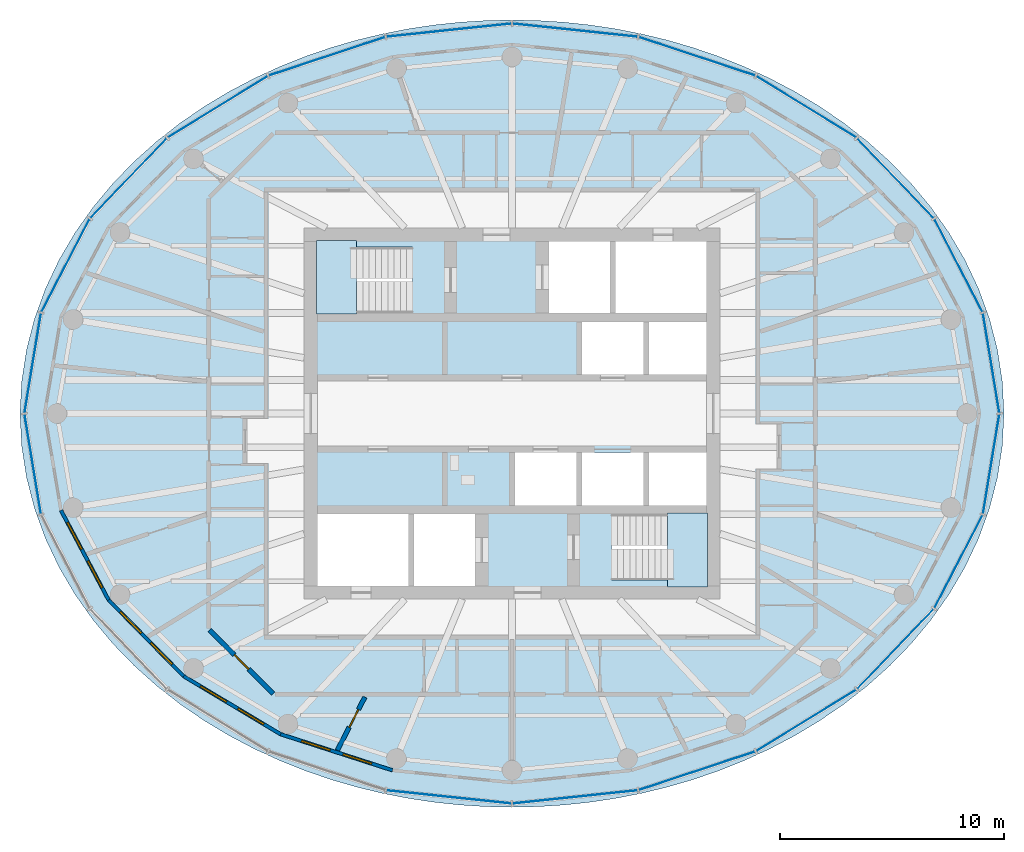
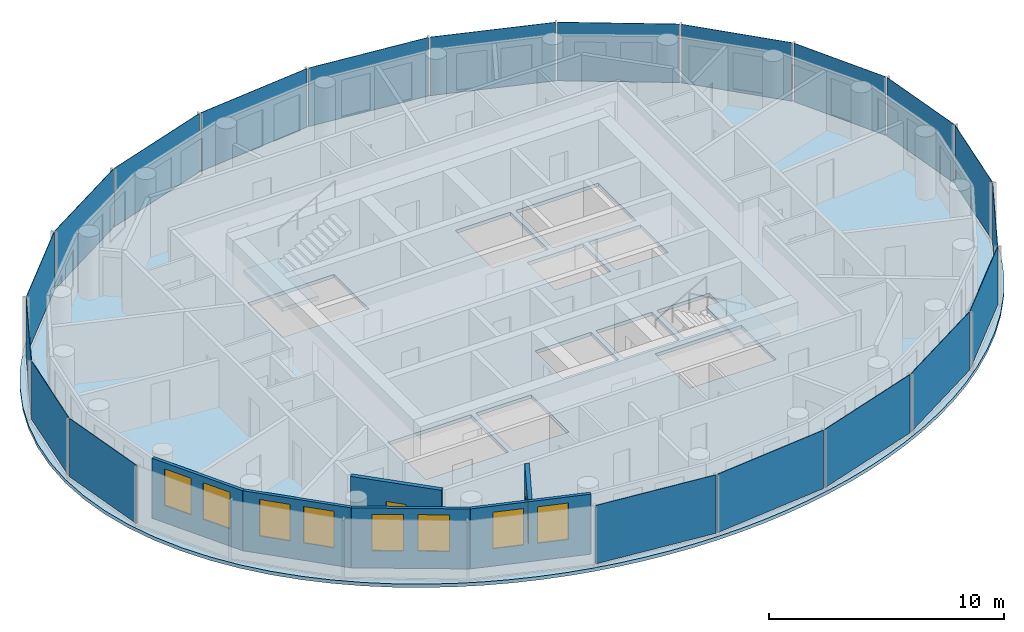
# One storey, part 4 of 12: 20 plates, 8 windows, 6 walls, 3 slabs, 2 doors, 10 openings, 6 elements without a shape of their own.
"""IFC4 building model written with IfcOpenShell, lengths in metres."""

from ifc_helpers import new_model, si_unit, direction, frame, frame_2d, origin, origin_2d, place, context, subcontext, project, spatial, polyline, rectangle, outline, extrude, material, layer, layer_set, type_object, element, fill, aggregate, save


model = new_model("IFC4")

# Units and contexts
model_context = context("Model", 3, precision=1e-05, world=origin(), true_north=direction((0.0, 1.0)))
body_context = subcontext(model_context, "Body", "Model", "MODEL_VIEW")
ifc_project = project(units=[si_unit("LENGTHUNIT", "METRE"), si_unit("AREAUNIT", "SQUARE_METRE"), si_unit("VOLUMEUNIT", "CUBIC_METRE"), si_unit("PLANEANGLEUNIT", "RADIAN"), si_unit("MASSUNIT", "GRAM", prefix="KILO")], contexts=[model_context])

# Site, building, storey
site_placement = place(None, origin())
site = spatial("IfcSite", under=ifc_project, at=site_placement, CompositionType="ELEMENT")
building_placement = place(site_placement, origin())
building = spatial("IfcBuilding", under=site, at=building_placement, Name="Hankou Lantern Tower", CompositionType="ELEMENT")
storey_placement = place(building_placement, frame((0.0, 0.0, 219.300048828125)))
storey = spatial("IfcBuildingStorey", under=building, at=storey_placement, Name="L59", CompositionType="ELEMENT", Elevation=219.300048828125)

# Curtain wall, plates
ifc_material_1 = material(Name="Glass, dark grey tinted laminated", Category="glass")
curtain_wall_type = type_object("IfcCurtainWallType", Name="CWD OUTER SKIN SUITE", PredefinedType="USERDEFINED", material=ifc_material_1)
curtain_wall_1_placement = place(storey_placement, origin())
curtain_wall_1 = element("IfcCurtainWall", 1, at=curtain_wall_1_placement, inside=storey, type_object=curtain_wall_type, Name="CWD L59 OS1", ObjectType="OUTER SKIN SUITE", PredefinedType="USERDEFINED")
ifc_material_2 = material(Name="Glass, dark grey tinted laminated", Category="glass")
ifc_layer_1 = layer(ifc_material_2, 0.02392578125)
ifc_layer_set_1 = layer_set([ifc_layer_1], Name="Glass, dark grey tinted laminated")
plate_type = type_object("IfcPlateType", Name="PN1 OUTER SKIN GLASS PANEL", PredefinedType="CURTAIN_PANEL", material=ifc_layer_set_1)
plate_1_placement = place(storey_placement, frame((21.4287109375, 2.2568359375, 0.079833984375), z_axis=(0.0, 0.0, 1.0), x_axis=(-0.162381515188, 0.986728049427, 0.0)))
plate_1 = element("IfcPlate", 2, at=plate_1_placement, type_object=plate_type, Name="CWD glass panel 1", PredefinedType="CURTAIN_PANEL", context=body_context, shape_type="SweptSolid", body=[
    extrude(rectangle(XDim=4.49462890625, YDim=0.02392578125, at=origin_2d()), origin(), (0.0, 0.0, 1.0), 3.0400390625),
])
plate_2_placement = place(storey_placement, frame((19.96826171875, 6.616943359375, 0.079833984375), z_axis=(0.0, 0.0, 1.0), x_axis=(-0.459791091957, 0.888027112062, 0.0)))
plate_2 = element("IfcPlate", 3, at=plate_2_placement, type_object=plate_type, Name="CWD glass panel 2", PredefinedType="CURTAIN_PANEL", context=body_context, shape_type="SweptSolid", body=[
    extrude(rectangle(XDim=4.656494140625, YDim=0.02392578125, at=origin_2d()), origin(), (0.0, 0.0, 1.0), 3.0400390625),
])
plate_3_placement = place(storey_placement, frame((17.147216796875, 10.52587890625, 0.079833984375), z_axis=(0.0, 0.0, 1.0), x_axis=(-0.692215809936, 0.721690565599, 0.0)))
plate_3 = element("IfcPlate", 4, at=plate_3_placement, type_object=plate_type, Name="CWD glass panel 3", PredefinedType="CURTAIN_PANEL", context=body_context, shape_type="SweptSolid", body=[
    extrude(rectangle(XDim=4.9248046875, YDim=0.02392578125, at=origin_2d()), origin(), (0.0, 0.0, 1.0), 3.0400390625),
])
plate_4_placement = place(storey_placement, frame((13.157470703125, 13.7177734375, 0.079833984375), z_axis=(0.0, 0.0, 1.0), x_axis=(-0.852237151549, 0.523155653242, 0.0)))
plate_4 = element("IfcPlate", 5, at=plate_4_placement, type_object=plate_type, Name="CWD glass panel 4", PredefinedType="CURTAIN_PANEL", context=body_context, shape_type="SweptSolid", body=[
    extrude(rectangle(XDim=5.2177734375, YDim=0.02392578125, at=origin_2d()), origin(), (0.0, 0.0, 1.0), 3.0400390625),
])
plate_5_placement = place(storey_placement, frame((8.271240234375, 15.974609375, 0.079833984375), z_axis=(0.0, 0.0, 1.0), x_axis=(-0.949240677293, 0.31455068999, 0.0)))
plate_5 = element("IfcPlate", 6, at=plate_5_placement, type_object=plate_type, Name="CWD glass panel 5", PredefinedType="CURTAIN_PANEL", context=body_context, shape_type="SweptSolid", body=[
    extrude(rectangle(XDim=5.458984375, YDim=0.02392578125, at=origin_2d()), origin(), (0.0, 0.0, 1.0), 3.0400390625),
])
plate_6_placement = place(storey_placement, frame((2.821044921875, 17.142822265625, 0.079833984375), z_axis=(0.0, 0.0, 1.0), x_axis=(-0.994499359107, 0.104742659579, 0.0)))
plate_6 = element("IfcPlate", 7, at=plate_6_placement, type_object=plate_type, Name="CWD glass panel 6", PredefinedType="CURTAIN_PANEL", context=body_context, shape_type="SweptSolid", body=[
    extrude(rectangle(XDim=5.593505859375, YDim=0.02392578125, at=origin_2d()), origin(), (0.0, 0.0, 1.0), 3.0400390625),
])
aggregate(curtain_wall_1, [plate_1, plate_2, plate_3, plate_4, plate_5, plate_6])

curtain_wall_2_placement = place(storey_placement, origin())
curtain_wall_2 = element("IfcCurtainWall", 8, at=curtain_wall_2_placement, inside=storey, type_object=curtain_wall_type, Name="CWD L59 OS2", ObjectType="OUTER SKIN SUITE", PredefinedType="USERDEFINED")
plate_7_placement = place(storey_placement, frame((-2.821044921875, 17.142822265625, 0.079833984375), z_axis=(0.0, 0.0, 1.0), x_axis=(-0.994499359107, -0.104742659579, 0.0)))
plate_7 = element("IfcPlate", 9, at=plate_7_placement, type_object=plate_type, Name="CWD glass panel 1", PredefinedType="CURTAIN_PANEL", context=body_context, shape_type="SweptSolid", body=[
    extrude(rectangle(XDim=5.593505859375, YDim=0.02392578125, at=origin_2d()), origin(), (0.0, 0.0, 1.0), 3.0400390625),
])
plate_8_placement = place(storey_placement, frame((-8.271240234375, 15.974609375, 0.079833984375), z_axis=(0.0, 0.0, 1.0), x_axis=(-0.949240677293, -0.31455068999, 0.0)))
plate_8 = element("IfcPlate", 10, at=plate_8_placement, type_object=plate_type, Name="CWD glass panel 2", PredefinedType="CURTAIN_PANEL", context=body_context, shape_type="SweptSolid", body=[
    extrude(rectangle(XDim=5.458984375, YDim=0.02392578125, at=origin_2d()), origin(), (0.0, 0.0, 1.0), 3.0400390625),
])
plate_9_placement = place(storey_placement, frame((-13.157470703125, 13.7177734375, 0.079833984375), z_axis=(0.0, 0.0, 1.0), x_axis=(-0.852237151549, -0.523155653242, 0.0)))
plate_9 = element("IfcPlate", 11, at=plate_9_placement, type_object=plate_type, Name="CWD glass panel 3", PredefinedType="CURTAIN_PANEL", context=body_context, shape_type="SweptSolid", body=[
    extrude(rectangle(XDim=5.2177734375, YDim=0.02392578125, at=origin_2d()), origin(), (0.0, 0.0, 1.0), 3.0400390625),
])
plate_10_placement = place(storey_placement, frame((-17.147216796875, 10.52587890625, 0.079833984375), z_axis=(0.0, 0.0, 1.0), x_axis=(-0.692215809936, -0.721690565599, 0.0)))
plate_10 = element("IfcPlate", 12, at=plate_10_placement, type_object=plate_type, Name="CWD glass panel 4", PredefinedType="CURTAIN_PANEL", context=body_context, shape_type="SweptSolid", body=[
    extrude(rectangle(XDim=4.9248046875, YDim=0.02392578125, at=origin_2d()), origin(), (0.0, 0.0, 1.0), 3.0400390625),
])
plate_11_placement = place(storey_placement, frame((-19.96826171875, 6.616943359375, 0.079833984375), z_axis=(0.0, 0.0, 1.0), x_axis=(-0.459791091957, -0.888027112062, 0.0)))
plate_11 = element("IfcPlate", 13, at=plate_11_placement, type_object=plate_type, Name="CWD glass panel 5", PredefinedType="CURTAIN_PANEL", context=body_context, shape_type="SweptSolid", body=[
    extrude(rectangle(XDim=4.656494140625, YDim=0.02392578125, at=origin_2d()), origin(), (0.0, 0.0, 1.0), 3.0400390625),
])
plate_12_placement = place(storey_placement, frame((-21.4287109375, 2.2568359375, 0.079833984375), z_axis=(0.0, 0.0, 1.0), x_axis=(-0.162381515188, -0.986728049427, 0.0)))
plate_12 = element("IfcPlate", 14, at=plate_12_placement, type_object=plate_type, Name="CWD glass panel 6", PredefinedType="CURTAIN_PANEL", context=body_context, shape_type="SweptSolid", body=[
    extrude(rectangle(XDim=4.49462890625, YDim=0.02392578125, at=origin_2d()), origin(), (0.0, 0.0, 1.0), 3.0400390625),
])
aggregate(curtain_wall_2, [plate_7, plate_8, plate_9, plate_10, plate_11, plate_12])

curtain_wall_3_placement = place(storey_placement, origin())
curtain_wall_3 = element("IfcCurtainWall", 15, at=curtain_wall_3_placement, inside=storey, type_object=curtain_wall_type, Name="CWD L59 OS3", ObjectType="OUTER SKIN SUITE", PredefinedType="USERDEFINED")
plate_13_placement = place(storey_placement, frame((-21.4287109375, -2.2568359375, 0.079833984375), z_axis=(0.0, 0.0, 1.0), x_axis=(0.162381515188, -0.986728049427, 0.0)))
plate_13 = element("IfcPlate", 16, at=plate_13_placement, type_object=plate_type, Name="CWD glass panel 1", PredefinedType="CURTAIN_PANEL", context=body_context, shape_type="SweptSolid", body=[
    extrude(rectangle(XDim=4.49462890625, YDim=0.02392578125, at=origin_2d()), origin(), (0.0, 0.0, 1.0), 3.0400390625),
])
plate_14_placement = place(storey_placement, frame((-2.821044921875, -17.142822265625, 0.079833984375), z_axis=(0.0, 0.0, 1.0), x_axis=(0.994499359107, -0.104742659579, 0.0)))
plate_14 = element("IfcPlate", 17, at=plate_14_placement, type_object=plate_type, Name="CWD glass panel 6", PredefinedType="CURTAIN_PANEL", context=body_context, shape_type="SweptSolid", body=[
    extrude(rectangle(XDim=5.593505859375, YDim=0.02392578125, at=origin_2d()), origin(), (0.0, 0.0, 1.0), 3.0400390625),
])
aggregate(curtain_wall_3, [plate_13, plate_14])

curtain_wall_4_placement = place(storey_placement, origin())
curtain_wall_4 = element("IfcCurtainWall", 18, at=curtain_wall_4_placement, inside=storey, type_object=curtain_wall_type, Name="CWD L59 OS4", ObjectType="OUTER SKIN SUITE", PredefinedType="USERDEFINED")
plate_15_placement = place(storey_placement, frame((2.821044921875, -17.142822265625, 0.079833984375), z_axis=(0.0, 0.0, 1.0), x_axis=(0.994499359107, 0.104742659579, 0.0)))
plate_15 = element("IfcPlate", 19, at=plate_15_placement, type_object=plate_type, Name="CWD glass panel 1", PredefinedType="CURTAIN_PANEL", context=body_context, shape_type="SweptSolid", body=[
    extrude(rectangle(XDim=5.593505859375, YDim=0.02392578125, at=origin_2d()), origin(), (0.0, 0.0, 1.0), 3.0400390625),
])
plate_16_placement = place(storey_placement, frame((8.271240234375, -15.974609375, 0.079833984375), z_axis=(0.0, 0.0, 1.0), x_axis=(0.949240677293, 0.31455068999, 0.0)))
plate_16 = element("IfcPlate", 20, at=plate_16_placement, type_object=plate_type, Name="CWD glass panel 2", PredefinedType="CURTAIN_PANEL", context=body_context, shape_type="SweptSolid", body=[
    extrude(rectangle(XDim=5.458984375, YDim=0.02392578125, at=origin_2d()), origin(), (0.0, 0.0, 1.0), 3.0400390625),
])
plate_17_placement = place(storey_placement, frame((13.157470703125, -13.7177734375, 0.079833984375), z_axis=(0.0, 0.0, 1.0), x_axis=(0.852237151549, 0.523155653242, 0.0)))
plate_17 = element("IfcPlate", 21, at=plate_17_placement, type_object=plate_type, Name="CWD glass panel 3", PredefinedType="CURTAIN_PANEL", context=body_context, shape_type="SweptSolid", body=[
    extrude(rectangle(XDim=5.2177734375, YDim=0.02392578125, at=origin_2d()), origin(), (0.0, 0.0, 1.0), 3.0400390625),
])
plate_18_placement = place(storey_placement, frame((17.147216796875, -10.52587890625, 0.079833984375), z_axis=(0.0, 0.0, 1.0), x_axis=(0.692215809936, 0.721690565599, 0.0)))
plate_18 = element("IfcPlate", 22, at=plate_18_placement, type_object=plate_type, Name="CWD glass panel 4", PredefinedType="CURTAIN_PANEL", context=body_context, shape_type="SweptSolid", body=[
    extrude(rectangle(XDim=4.9248046875, YDim=0.02392578125, at=origin_2d()), origin(), (0.0, 0.0, 1.0), 3.0400390625),
])
plate_19_placement = place(storey_placement, frame((19.96826171875, -6.616943359375, 0.079833984375), z_axis=(0.0, 0.0, 1.0), x_axis=(0.459791091957, 0.888027112062, 0.0)))
plate_19 = element("IfcPlate", 23, at=plate_19_placement, type_object=plate_type, Name="CWD glass panel 5", PredefinedType="CURTAIN_PANEL", context=body_context, shape_type="SweptSolid", body=[
    extrude(rectangle(XDim=4.656494140625, YDim=0.02392578125, at=origin_2d()), origin(), (0.0, 0.0, 1.0), 3.0400390625),
])
plate_20_placement = place(storey_placement, frame((21.4287109375, -2.2568359375, 0.079833984375), z_axis=(0.0, 0.0, 1.0), x_axis=(0.162381515188, 0.986728049427, 0.0)))
plate_20 = element("IfcPlate", 24, at=plate_20_placement, type_object=plate_type, Name="CWD glass panel 6", PredefinedType="CURTAIN_PANEL", context=body_context, shape_type="SweptSolid", body=[
    extrude(rectangle(XDim=4.49462890625, YDim=0.02392578125, at=origin_2d()), origin(), (0.0, 0.0, 1.0), 3.0400390625),
])
aggregate(curtain_wall_4, [plate_15, plate_16, plate_17, plate_18, plate_19, plate_20])

# Slab
ifc_material_3 = material(Name="Concrete C50", Category="concrete")
ifc_layer_2 = layer(ifc_material_3, 0.179931640625)
ifc_layer_set_2 = layer_set([ifc_layer_2], Name="Concrete C50")
slab_type_1 = type_object("IfcSlabType", Name="S1 CONCRETE FLOOR SLAB 180", PredefinedType="FLOOR", material=ifc_layer_set_2)
slab_1_placement = place(storey_placement, frame((0.0, 0.0, -0.179931640625)))
element("IfcSlab", 25, at=slab_1_placement, inside=storey, type_object=slab_type_1, Name="Floor slab L59", PredefinedType="FLOOR", context=body_context, shape_type="SweptSolid", body=[
    extrude(outline(polyline([(22.0, 0.0), (21.926513671875, 1.437255859375), (21.7080078125, 2.85791015625), (21.349853515625, 4.246826171875), (20.861083984375, 5.589599609375), (20.252197265625, 6.874755859375), (19.53662109375, 8.09228515625), (18.727783203125, 9.235595703125), (17.83935546875, 10.299560546875), (16.88525390625, 11.2822265625), (15.877197265625, 12.18310546875), (14.82666015625, 13.002685546875), (13.743408203125, 13.743408203125), (12.63525390625, 14.40771484375), (11.509521484375, 14.999267578125), (10.37109375, 15.521728515625), (9.224853515625, 15.97802734375), (8.07373046875, 16.3720703125), (6.920166015625, 16.70654296875), (5.765625, 16.98486328125), (4.611083984375, 17.208984375), (3.457275390625, 17.38134765625), (2.304443359375, 17.503173828125), (1.152099609375, 17.575927734375), (0.0, 17.60009765625), (-1.152099609375, 17.575927734375), (-2.304443359375, 17.503173828125), (-3.457275390625, 17.38134765625), (-4.611083984375, 17.208984375), (-5.765625, 16.98486328125), (-6.920166015625, 16.70654296875), (-8.07373046875, 16.3720703125), (-9.224853515625, 15.97802734375), (-10.37109375, 15.521728515625), (-11.509521484375, 14.999267578125), (-12.63525390625, 14.40771484375), (-13.743408203125, 13.743408203125), (-14.82666015625, 13.002685546875), (-15.877197265625, 12.18310546875), (-16.88525390625, 11.2822265625), (-17.83935546875, 10.299560546875), (-18.727783203125, 9.235595703125), (-19.53662109375, 8.09228515625), (-20.252197265625, 6.874755859375), (-20.861083984375, 5.589599609375), (-21.349853515625, 4.246826171875), (-21.7080078125, 2.85791015625), (-21.926513671875, 1.437255859375), (-22.0, 0.0), (-21.926513671875, -1.437255859375), (-21.7080078125, -2.85791015625), (-21.349853515625, -4.246826171875), (-20.861083984375, -5.589599609375), (-20.252197265625, -6.874755859375), (-19.53662109375, -8.09228515625), (-18.727783203125, -9.235595703125), (-17.83935546875, -10.299560546875), (-16.88525390625, -11.2822265625), (-15.877197265625, -12.18310546875), (-14.82666015625, -13.002685546875), (-13.743408203125, -13.743408203125), (-12.63525390625, -14.40771484375), (-11.509521484375, -14.999267578125), (-10.37109375, -15.521728515625), (-9.224853515625, -15.97802734375), (-8.07373046875, -16.3720703125), (-6.920166015625, -16.70654296875), (-5.765625, -16.98486328125), (-4.611083984375, -17.208984375), (-3.457275390625, -17.38134765625), (-2.304443359375, -17.503173828125), (-1.152099609375, -17.575927734375), (0.0, -17.60009765625), (1.152099609375, -17.575927734375), (2.304443359375, -17.503173828125), (3.457275390625, -17.38134765625), (4.611083984375, -17.208984375), (5.765625, -16.98486328125), (6.920166015625, -16.70654296875), (8.07373046875, -16.3720703125), (9.224853515625, -15.97802734375), (10.37109375, -15.521728515625), (11.509521484375, -14.999267578125), (12.63525390625, -14.40771484375), (13.743408203125, -13.743408203125), (14.82666015625, -13.002685546875), (15.877197265625, -12.18310546875), (16.88525390625, -11.2822265625), (17.83935546875, -10.299560546875), (18.727783203125, -9.235595703125), (19.53662109375, -8.09228515625), (20.252197265625, -6.874755859375), (20.861083984375, -5.589599609375), (21.349853515625, -4.246826171875), (21.7080078125, -2.85791015625), (21.926513671875, -1.437255859375), (22.0, 0.0)]), holes=[polyline([(3.125, 4.10009765625), (5.875, 4.10009765625), (5.875, 1.75), (3.125, 1.75), (3.125, 4.10009765625)]), polyline([(6.125, 4.10009765625), (8.699951171875, 4.10009765625), (8.699951171875, 1.75), (6.125, 1.75), (6.125, 4.10009765625)]), polyline([(0.125, -1.75), (2.875, -1.75), (2.875, -4.10009765625), (0.125, -4.10009765625), (0.125, -1.75)]), polyline([(3.125, -1.75), (5.875, -1.75), (5.875, -4.10009765625), (3.125, -4.10009765625), (3.125, -1.75)]), polyline([(6.125, -1.75), (8.699951171875, -1.75), (8.699951171875, -4.10009765625), (6.125, -4.10009765625), (6.125, -1.75)]), polyline([(1.64990234375, 7.699951171875), (4.375, 7.699951171875), (4.375, 4.5), (1.64990234375, 4.5), (1.64990234375, 7.699951171875)]), polyline([(-4.375, -4.5), (-1.64990234375, -4.5), (-1.64990234375, -7.699951171875), (-4.375, -7.699951171875), (-4.375, -4.5)]), polyline([(-8.699951171875, 7.449951171875), (-4.449951171875, 7.449951171875), (-4.449951171875, 4.5), (-8.699951171875, 4.5), (-8.699951171875, 7.449951171875)]), polyline([(4.449951171875, -4.5), (8.699951171875, -4.5), (8.699951171875, -7.449951171875), (4.449951171875, -7.449951171875), (4.449951171875, -4.5)]), polyline([(4.625, 7.699951171875), (8.699951171875, 7.699951171875), (8.699951171875, 4.5), (4.625, 4.5), (4.625, 7.699951171875)]), polyline([(-8.699951171875, -4.5), (-4.625, -4.5), (-4.625, -7.699951171875), (-8.699951171875, -7.699951171875), (-8.699951171875, -4.5)])]), origin(), (0.0, 0.0, 1.0), 0.179931640625),
])

# Stair, slab
ifc_material_4 = material(Name="Concrete C40", Category="concrete")
stair_type = type_object("IfcStairType", Name="ST33 CORE STAIR 3300 RISE", PredefinedType="HALF_TURN_STAIR", material=ifc_material_4)
stair_1_placement = place(storey_placement, origin())
stair_1 = element("IfcStair", 26, at=stair_1_placement, inside=storey, type_object=stair_type, Name="Stair STA L59", PredefinedType="HALF_TURN_STAIR")
ifc_material_5 = material(Name="Concrete C40", Category="concrete")
ifc_layer_3 = layer(ifc_material_5, 0.199951171875)
ifc_layer_set_3 = layer_set([ifc_layer_3], Name="Concrete C40")
slab_type_2 = type_object("IfcSlabType", Name="SL1 STAIR LANDING 200", PredefinedType="LANDING", material=ifc_layer_set_3)
slab_2_placement = place(storey_placement, frame((0.0, 0.0, 1.371337890625)))
slab_2 = element("IfcSlab", 27, at=slab_2_placement, type_object=slab_type_2, Name="STA landing 1", PredefinedType="LANDING", context=body_context, shape_type="SweptSolid", body=[
    extrude(outline(polyline([(-8.75, 4.449951171875), (-6.949951171875, 4.449951171875), (-6.949951171875, 7.75), (-8.75, 7.75), (-8.75, 4.449951171875)])), origin(), (0.0, 0.0, 1.0), 0.199951171875),
])
aggregate(stair_1, [slab_2])

stair_2_placement = place(storey_placement, origin())
stair_2 = element("IfcStair", 28, at=stair_2_placement, inside=storey, type_object=stair_type, Name="Stair STB L59", PredefinedType="HALF_TURN_STAIR")
slab_3_placement = place(storey_placement, frame((0.0, 0.0, 1.371337890625)))
slab_3 = element("IfcSlab", 29, at=slab_3_placement, type_object=slab_type_2, Name="STB landing 1", PredefinedType="LANDING", context=body_context, shape_type="SweptSolid", body=[
    extrude(outline(polyline([(8.75, -4.449951171875), (6.949951171875, -4.449951171875), (6.949951171875, -7.75), (8.75, -7.75), (8.75, -4.449951171875)])), origin(), (0.0, 0.0, 1.0), 0.199951171875),
])
aggregate(stair_2, [slab_3])

# Wall, openings, windows
ifc_material_6 = material(Name="Aluminium spandrel panel on steel studs", Category="steel")
ifc_layer_4 = layer(ifc_material_6, 0.14990234375)
ifc_layer_set_4 = layer_set([ifc_layer_4], Name="Aluminium spandrel panel on steel studs")
wall_type_1 = type_object("IfcWallType", Name="EW1 INNER SKIN WALL 150", PredefinedType="ELEMENTEDWALL", material=ifc_layer_set_4)
wall_1_placement = place(storey_placement, frame((-20.169677734375, -4.323486328125, 0.0), z_axis=(0.0, 0.0, 1.0), x_axis=(0.469256152955, -0.883062094597, 0.0)))
wall_1 = element("IfcWall", 30, at=wall_1_placement, inside=storey, type_object=wall_type_1, Name="Inner skin R14-R15 L59", PredefinedType="ELEMENTEDWALL", context=body_context, shape_type="SweptSolid", body=[
    extrude(rectangle(XDim=4.539306640625, YDim=0.14990234375, at=frame_2d((2.26953125, 0.0))), origin(), (0.0, 0.0, 1.0), 3.119873046875),
])
opening_1_placement = place(wall_1_placement, frame((0.61962890625, 0.0, 0.89990234375)))
opening_1 = element("IfcOpeningElement", 31, at=opening_1_placement, cuts=wall_1, Name="Opening W4", PredefinedType="OPENING", context=body_context, shape_type="SweptSolid", body=[
    extrude(rectangle(XDim=1.35009765625, YDim=1.89990234375, at=frame_2d((0.675048828125, 0.949951171875))), frame((0.0, 0.0849609375, 0.0), z_axis=(0.0, -1.0, 0.0), x_axis=(1.0, 0.0, 0.0)), (0.0, 0.0, 1.0), 0.169921875),
])
opening_2_placement = place(wall_1_placement, frame((2.569580078125, 0.0, 0.89990234375)))
opening_2 = element("IfcOpeningElement", 32, at=opening_2_placement, cuts=wall_1, Name="Opening W4", PredefinedType="OPENING", context=body_context, shape_type="SweptSolid", body=[
    extrude(rectangle(XDim=1.35009765625, YDim=1.89990234375, at=frame_2d((0.675048828125, 0.949951171875))), frame((0.0, 0.0849609375, 0.0), z_axis=(0.0, -1.0, 0.0), x_axis=(1.0, 0.0, 0.0)), (0.0, 0.0, 1.0), 0.169921875),
])
ifc_material_7 = material(Name="Aluminium framed double glazed window", Category="aluminium")
window_type = type_object("IfcWindowType", Name="W4 SUITE WINDOW 1350X1900", PartitioningType="DOUBLE_PANEL_VERTICAL", PredefinedType="WINDOW", material=ifc_material_7)
window_1_placement = place(opening_1_placement, origin())
window_1 = element("IfcWindow", 33, at=window_1_placement, inside=storey, type_object=window_type, Name="Window R14.1 L59", OverallHeight=1.89990234375, OverallWidth=1.35009765625, PartitioningType="SINGLE_PANEL", PredefinedType="WINDOW", context=body_context, shape_type="SweptSolid", body=[
    extrude(rectangle(XDim=1.35009765625, YDim=1.89990234375, at=frame_2d((0.675048828125, 0.949951171875))), frame((0.0, 0.030029296875, 0.0), z_axis=(0.0, -1.0, 0.0), x_axis=(1.0, 0.0, 0.0)), (0.0, 0.0, 1.0), 0.06005859375),
])
fill(opening_1, window_1)
window_2_placement = place(opening_2_placement, origin())
window_2 = element("IfcWindow", 34, at=window_2_placement, inside=storey, type_object=window_type, Name="Window R14.2 L59", OverallHeight=1.89990234375, OverallWidth=1.35009765625, PartitioningType="SINGLE_PANEL", PredefinedType="WINDOW", context=body_context, shape_type="SweptSolid", body=[
    extrude(rectangle(XDim=1.35009765625, YDim=1.89990234375, at=frame_2d((0.675048828125, 0.949951171875))), frame((0.0, 0.030029296875, 0.0), z_axis=(0.0, -1.0, 0.0), x_axis=(1.0, 0.0, 0.0)), (0.0, 0.0, 1.0), 0.06005859375),
])
fill(opening_2, window_2)

wall_2_placement = place(storey_placement, frame((-18.03955078125, -8.33203125, 0.0), z_axis=(0.0, 0.0, 1.0), x_axis=(0.701527379618, -0.712642501993, 0.0)))
wall_2 = element("IfcWall", 35, at=wall_2_placement, inside=storey, type_object=wall_type_1, Name="Inner skin R15-R16 L59", PredefinedType="ELEMENTEDWALL", context=body_context, shape_type="SweptSolid", body=[
    extrude(rectangle(XDim=4.788330078125, YDim=0.14990234375, at=frame_2d((2.39404296875, 0.0))), origin(), (0.0, 0.0, 1.0), 3.119873046875),
])
opening_3_placement = place(wall_2_placement, frame((0.744140625, 0.0, 0.89990234375)))
opening_3 = element("IfcOpeningElement", 36, at=opening_3_placement, cuts=wall_2, Name="Opening W4", PredefinedType="OPENING", context=body_context, shape_type="SweptSolid", body=[
    extrude(rectangle(XDim=1.35009765625, YDim=1.89990234375, at=frame_2d((0.675048828125, 0.949951171875))), frame((0.0, 0.0849609375, 0.0), z_axis=(0.0, -1.0, 0.0), x_axis=(1.0, 0.0, 0.0)), (0.0, 0.0, 1.0), 0.169921875),
])
opening_4_placement = place(wall_2_placement, frame((2.694091796875, 0.0, 0.89990234375)))
opening_4 = element("IfcOpeningElement", 37, at=opening_4_placement, cuts=wall_2, Name="Opening W4", PredefinedType="OPENING", context=body_context, shape_type="SweptSolid", body=[
    extrude(rectangle(XDim=1.35009765625, YDim=1.89990234375, at=frame_2d((0.675048828125, 0.949951171875))), frame((0.0, 0.0849609375, 0.0), z_axis=(0.0, -1.0, 0.0), x_axis=(1.0, 0.0, 0.0)), (0.0, 0.0, 1.0), 0.169921875),
])
window_3_placement = place(opening_3_placement, origin())
window_3 = element("IfcWindow", 38, at=window_3_placement, inside=storey, type_object=window_type, Name="Window R15.1 L59", OverallHeight=1.89990234375, OverallWidth=1.35009765625, PartitioningType="SINGLE_PANEL", PredefinedType="WINDOW", context=body_context, shape_type="SweptSolid", body=[
    extrude(rectangle(XDim=1.35009765625, YDim=1.89990234375, at=frame_2d((0.675048828125, 0.949951171875))), frame((0.0, 0.030029296875, 0.0), z_axis=(0.0, -1.0, 0.0), x_axis=(1.0, 0.0, 0.0)), (0.0, 0.0, 1.0), 0.06005859375),
])
fill(opening_3, window_3)
window_4_placement = place(opening_4_placement, origin())
window_4 = element("IfcWindow", 39, at=window_4_placement, inside=storey, type_object=window_type, Name="Window R15.2 L59", OverallHeight=1.89990234375, OverallWidth=1.35009765625, PartitioningType="SINGLE_PANEL", PredefinedType="WINDOW", context=body_context, shape_type="SweptSolid", body=[
    extrude(rectangle(XDim=1.35009765625, YDim=1.89990234375, at=frame_2d((0.675048828125, 0.949951171875))), frame((0.0, 0.030029296875, 0.0), z_axis=(0.0, -1.0, 0.0), x_axis=(1.0, 0.0, 0.0)), (0.0, 0.0, 1.0), 0.06005859375),
])
fill(opening_4, window_4)

wall_3_placement = place(storey_placement, frame((-14.680419921875, -11.744384765625, 0.0), z_axis=(0.0, 0.0, 1.0), x_axis=(0.85822150553, -0.513279502265, 0.0)))
wall_3 = element("IfcWall", 40, at=wall_3_placement, inside=storey, type_object=wall_type_1, Name="Inner skin R16-R17 L59", PredefinedType="ELEMENTEDWALL", context=body_context, shape_type="SweptSolid", body=[
    extrude(rectangle(XDim=5.050048828125, YDim=0.14990234375, at=frame_2d((2.52490234375, 0.0))), origin(), (0.0, 0.0, 1.0), 3.119873046875),
])
opening_5_placement = place(wall_3_placement, frame((0.875, 0.0, 0.89990234375)))
opening_5 = element("IfcOpeningElement", 41, at=opening_5_placement, cuts=wall_3, Name="Opening W4", PredefinedType="OPENING", context=body_context, shape_type="SweptSolid", body=[
    extrude(rectangle(XDim=1.35009765625, YDim=1.89990234375, at=frame_2d((0.675048828125, 0.949951171875))), frame((0.0, 0.0849609375, 0.0), z_axis=(0.0, -1.0, 0.0), x_axis=(1.0, 0.0, 0.0)), (0.0, 0.0, 1.0), 0.169921875),
])
opening_6_placement = place(wall_3_placement, frame((2.824951171875, 0.0, 0.89990234375)))
opening_6 = element("IfcOpeningElement", 42, at=opening_6_placement, cuts=wall_3, Name="Opening W4", PredefinedType="OPENING", context=body_context, shape_type="SweptSolid", body=[
    extrude(rectangle(XDim=1.35009765625, YDim=1.89990234375, at=frame_2d((0.675048828125, 0.949951171875))), frame((0.0, 0.0849609375, 0.0), z_axis=(0.0, -1.0, 0.0), x_axis=(1.0, 0.0, 0.0)), (0.0, 0.0, 1.0), 0.169921875),
])
window_5_placement = place(opening_5_placement, origin())
window_5 = element("IfcWindow", 43, at=window_5_placement, inside=storey, type_object=window_type, Name="Window R16.1 L59", OverallHeight=1.89990234375, OverallWidth=1.35009765625, PartitioningType="SINGLE_PANEL", PredefinedType="WINDOW", context=body_context, shape_type="SweptSolid", body=[
    extrude(rectangle(XDim=1.35009765625, YDim=1.89990234375, at=frame_2d((0.675048828125, 0.949951171875))), frame((0.0, 0.030029296875, 0.0), z_axis=(0.0, -1.0, 0.0), x_axis=(1.0, 0.0, 0.0)), (0.0, 0.0, 1.0), 0.06005859375),
])
fill(opening_5, window_5)
window_6_placement = place(opening_6_placement, origin())
window_6 = element("IfcWindow", 44, at=window_6_placement, inside=storey, type_object=window_type, Name="Window R16.2 L59", OverallHeight=1.89990234375, OverallWidth=1.35009765625, PartitioningType="SINGLE_PANEL", PredefinedType="WINDOW", context=body_context, shape_type="SweptSolid", body=[
    extrude(rectangle(XDim=1.35009765625, YDim=1.89990234375, at=frame_2d((0.675048828125, 0.949951171875))), frame((0.0, 0.030029296875, 0.0), z_axis=(0.0, -1.0, 0.0), x_axis=(1.0, 0.0, 0.0)), (0.0, 0.0, 1.0), 0.06005859375),
])
fill(opening_6, window_6)

wall_4_placement = place(storey_placement, frame((-10.346435546875, -14.33642578125, 0.0), z_axis=(0.0, 0.0, 1.0), x_axis=(0.951644702515, -0.307200846638, 0.0)))
wall_4 = element("IfcWall", 45, at=wall_4_placement, inside=storey, type_object=wall_type_1, Name="Inner skin R17-R18 L59", PredefinedType="ELEMENTEDWALL", context=body_context, shape_type="SweptSolid", body=[
    extrude(rectangle(XDim=5.2578125, YDim=0.14990234375, at=frame_2d((2.62890625, 0.0))), origin(), (0.0, 0.0, 1.0), 3.119873046875),
])
opening_7_placement = place(wall_4_placement, frame((0.97900390625, 0.0, 0.89990234375)))
opening_7 = element("IfcOpeningElement", 46, at=opening_7_placement, cuts=wall_4, Name="Opening W4", PredefinedType="OPENING", context=body_context, shape_type="SweptSolid", body=[
    extrude(rectangle(XDim=1.35009765625, YDim=1.89990234375, at=frame_2d((0.675048828125, 0.949951171875))), frame((0.0, 0.0849609375, 0.0), z_axis=(0.0, -1.0, 0.0), x_axis=(1.0, 0.0, 0.0)), (0.0, 0.0, 1.0), 0.169921875),
])
opening_8_placement = place(wall_4_placement, frame((2.928955078125, 0.0, 0.89990234375)))
opening_8 = element("IfcOpeningElement", 47, at=opening_8_placement, cuts=wall_4, Name="Opening W4", PredefinedType="OPENING", context=body_context, shape_type="SweptSolid", body=[
    extrude(rectangle(XDim=1.35009765625, YDim=1.89990234375, at=frame_2d((0.675048828125, 0.949951171875))), frame((0.0, 0.0849609375, 0.0), z_axis=(0.0, -1.0, 0.0), x_axis=(1.0, 0.0, 0.0)), (0.0, 0.0, 1.0), 0.169921875),
])
window_7_placement = place(opening_7_placement, origin())
window_7 = element("IfcWindow", 48, at=window_7_placement, inside=storey, type_object=window_type, Name="Window R17.1 L59", OverallHeight=1.89990234375, OverallWidth=1.35009765625, PartitioningType="SINGLE_PANEL", PredefinedType="WINDOW", context=body_context, shape_type="SweptSolid", body=[
    extrude(rectangle(XDim=1.35009765625, YDim=1.89990234375, at=frame_2d((0.675048828125, 0.949951171875))), frame((0.0, 0.030029296875, 0.0), z_axis=(0.0, -1.0, 0.0), x_axis=(1.0, 0.0, 0.0)), (0.0, 0.0, 1.0), 0.06005859375),
])
fill(opening_7, window_7)
window_8_placement = place(opening_8_placement, origin())
window_8 = element("IfcWindow", 49, at=window_8_placement, inside=storey, type_object=window_type, Name="Window R17.2 L59", OverallHeight=1.89990234375, OverallWidth=1.35009765625, PartitioningType="SINGLE_PANEL", PredefinedType="WINDOW", context=body_context, shape_type="SweptSolid", body=[
    extrude(rectangle(XDim=1.35009765625, YDim=1.89990234375, at=frame_2d((0.675048828125, 0.949951171875))), frame((0.0, 0.030029296875, 0.0), z_axis=(0.0, -1.0, 0.0), x_axis=(1.0, 0.0, 0.0)), (0.0, 0.0, 1.0), 0.06005859375),
])
fill(opening_8, window_8)

# Wall, opening, door
ifc_material_8 = material(Name="Masonry lightweight concrete block", Category="masonry")
ifc_layer_5 = layer(ifc_material_8, 0.199951171875)
ifc_layer_set_5 = layer_set([ifc_layer_5], Name="Masonry lightweight concrete block")
wall_type_2 = type_object("IfcWallType", Name="IW6 SUITE PARTITION 200", PredefinedType="PARTITIONING", material=ifc_layer_set_5)
wall_5_placement = place(storey_placement, frame((-13.520751953125, -9.67919921875, 0.0), z_axis=(0.0, 0.0, 1.0), x_axis=(0.707106781187, -0.707106781187, 0.0)))
wall_5 = element("IfcWall", 50, at=wall_5_placement, inside=storey, type_object=wall_type_2, Name="Suite foyer wall 5904", PredefinedType="PARTITIONING", context=body_context, shape_type="SweptSolid", body=[
    extrude(rectangle(XDim=4.0185546875, YDim=0.199951171875, at=frame_2d((2.00927734375, 0.0))), origin(), (0.0, 0.0, 1.0), 3.119873046875),
])
opening_9_placement = place(wall_5_placement, frame((1.570068359375, 0.0, 0.0)))
opening_9 = element("IfcOpeningElement", 51, at=opening_9_placement, cuts=wall_5, Name="Opening D27", PredefinedType="OPENING", context=body_context, shape_type="SweptSolid", body=[
    extrude(rectangle(XDim=0.89990234375, YDim=2.10009765625, at=frame_2d((0.449951171875, 1.050048828125))), frame((0.0, 0.10986328125, 0.0), z_axis=(0.0, -1.0, 0.0), x_axis=(1.0, 0.0, 0.0)), (0.0, 0.0, 1.0), 0.219970703125),
])
ifc_material_9 = material(Name="Timber door leaf", Category="wood")
door_type = type_object("IfcDoorType", Name="D27 INTERNAL DOOR 900X2100", OperationType="SINGLE_SWING_LEFT", PredefinedType="DOOR", material=ifc_material_9)
door_1_placement = place(opening_9_placement, origin())
door_1 = element("IfcDoor", 52, at=door_1_placement, inside=storey, type_object=door_type, Name="Suite 5904 living room door", OperationType="SINGLE_SWING_RIGHT", OverallHeight=2.10009765625, OverallWidth=0.89990234375, PredefinedType="DOOR", context=body_context, shape_type="SweptSolid", body=[
    extrude(rectangle(XDim=0.89990234375, YDim=2.10009765625, at=frame_2d((0.449951171875, 1.050048828125))), frame((0.0, 0.02490234375, 0.0), z_axis=(0.0, -1.0, 0.0), x_axis=(1.0, 0.0, 0.0)), (0.0, 0.0, 1.0), 0.050048828125),
])
fill(opening_9, door_1)

wall_6_placement = place(storey_placement, frame((-6.578125, -12.676513671875, 0.0), z_axis=(0.0, 0.0, 1.0), x_axis=(-0.460620531465, -0.887597164255, 0.0)))
wall_6 = element("IfcWall", 53, at=wall_6_placement, inside=storey, type_object=wall_type_2, Name="Suite partition R17-R18", PredefinedType="PARTITIONING", context=body_context, shape_type="SweptSolid", body=[
    extrude(rectangle(XDim=2.677734375, YDim=0.199951171875, at=frame_2d((1.3388671875, 0.0))), origin(), (0.0, 0.0, 1.0), 3.119873046875),
])
opening_10_placement = place(wall_6_placement, frame((0.6201171875, 0.0, 0.0)))
opening_10 = element("IfcOpeningElement", 54, at=opening_10_placement, cuts=wall_6, Name="Opening D27", PredefinedType="OPENING", context=body_context, shape_type="SweptSolid", body=[
    extrude(rectangle(XDim=0.89990234375, YDim=2.10009765625, at=frame_2d((0.449951171875, 1.050048828125))), frame((0.0, 0.10986328125, 0.0), z_axis=(0.0, -1.0, 0.0), x_axis=(1.0, 0.0, 0.0)), (0.0, 0.0, 1.0), 0.219970703125),
])
door_2_placement = place(opening_10_placement, origin())
door_2 = element("IfcDoor", 55, at=door_2_placement, inside=storey, type_object=door_type, Name="Suite 5904 bedroom door", OperationType="SINGLE_SWING_LEFT", OverallHeight=2.10009765625, OverallWidth=0.89990234375, PredefinedType="DOOR", context=body_context, shape_type="SweptSolid", body=[
    extrude(rectangle(XDim=0.89990234375, YDim=2.10009765625, at=frame_2d((0.449951171875, 1.050048828125))), frame((0.0, 0.02490234375, 0.0), z_axis=(0.0, -1.0, 0.0), x_axis=(1.0, 0.0, 0.0)), (0.0, 0.0, 1.0), 0.050048828125),
])
fill(opening_10, door_2)

save(model, "model.ifc")
